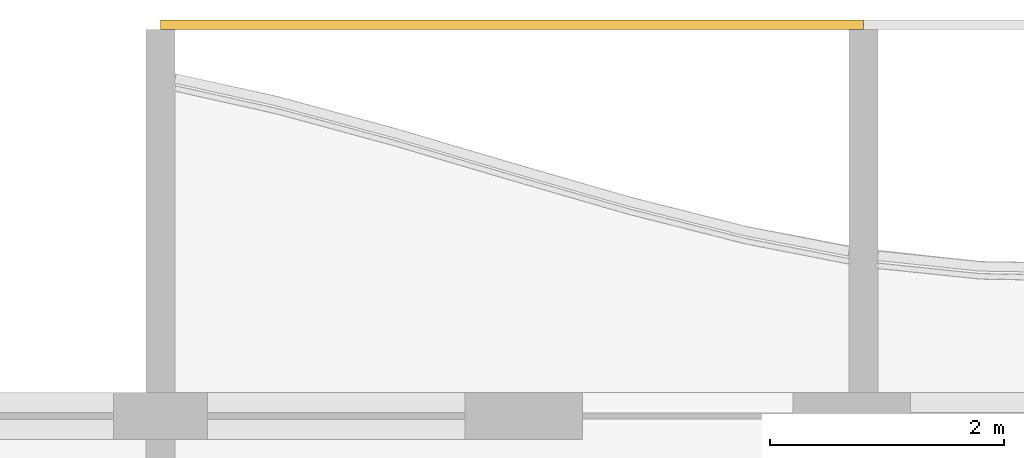
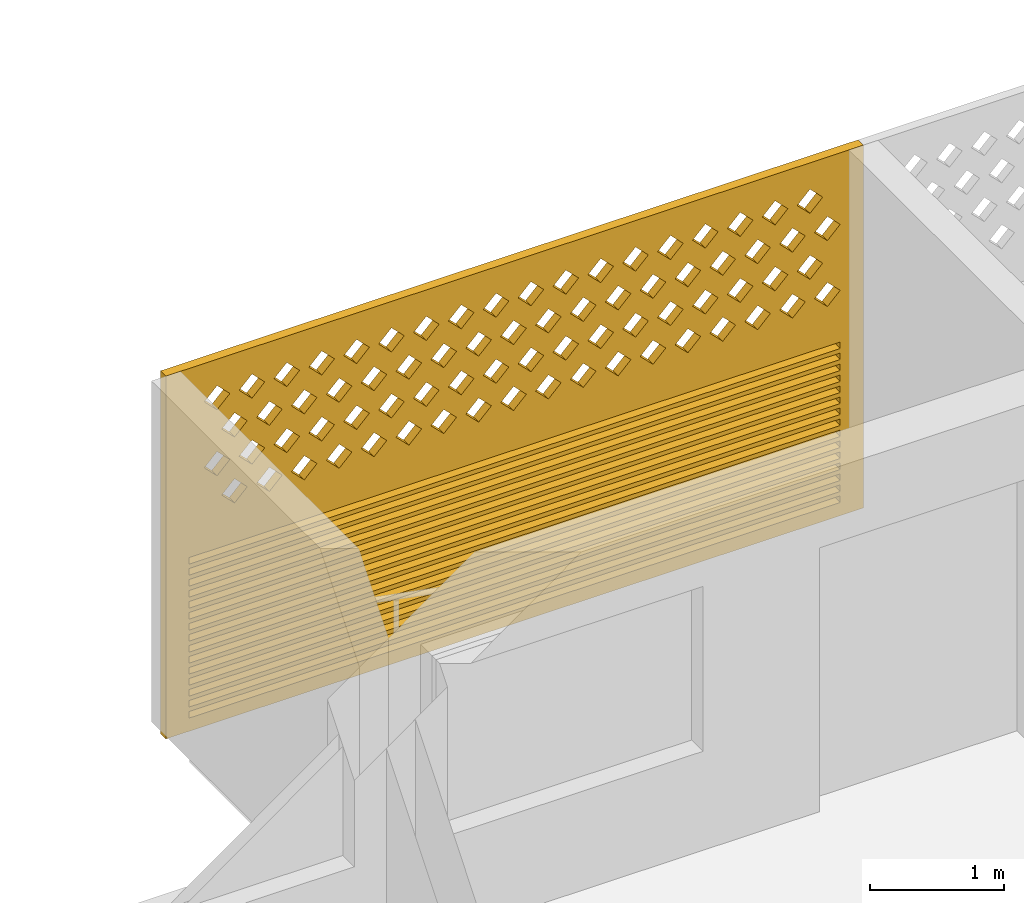
# One storey, part 25 of 27: 1 covering.
"""IFC4 building model written with IfcOpenShell, lengths in metres."""

import ifcopenshell
import ifcopenshell.guid

model = None  # the IFC model being written
_history = None  # IfcOwnerHistory: only IFC2X3 demands one
_inside = {}  # id of a spatial element -> (the spatial element, [elements in it])
_under = {}  # id of a project, library or spatial element -> (it, [spatial elements below it])
_declared = {}  # id of a project -> (the project, [libraries it declares])
_typed = {}  # id of a type object -> (the type object, [elements of that type])
_made_of = {}  # id of a material, layer set ... -> (it, [elements and type objects made of it])


def new_model(schema):
    """Start an empty IFC model of exactly this schema.

    Asked for "IFC4X3", IfcOpenShell would pick the latest addendum, in which some entities
    have other attributes; the version numbers below select the first issue.
    IFC2X3 requires an IfcOwnerHistory on every rooted entity: one is made here for all.
    """
    global model, _history
    if schema == "IFC4X3":
        model = ifcopenshell.file(schema_version=(4, 3, 0, 0))
    else:
        model = ifcopenshell.file(schema=schema)
    _inside.clear()
    _under.clear()
    _declared.clear()
    _typed.clear()
    _made_of.clear()
    _history = None
    if model.schema == "IFC2X3":
        org = make("IfcOrganization", Name="unknown")
        user = make(
            "IfcPersonAndOrganization",
            ThePerson=make("IfcPerson", FamilyName="unknown"),
            TheOrganization=org,
        )
        app = make(
            "IfcApplication",
            ApplicationDeveloper=org,
            Version="unknown",
            ApplicationFullName="unknown",
            ApplicationIdentifier="unknown",
        )
        _history = make(
            "IfcOwnerHistory",
            OwningUser=user,
            OwningApplication=app,
            ChangeAction="ADDED",
            CreationDate=0,
        )
    return model


def make(cls, **values):
    """One entity of the class cls with the attributes given. An attribute that is None is left unset."""
    return model.create_entity(
        cls, **{name: value for name, value in values.items() if value is not None}
    )


def rooted(cls, **values):
    """An entity with a GlobalId (a new one), such as an element, a storey or a relation."""
    return make(cls, GlobalId=ifcopenshell.guid.new(), OwnerHistory=_history, **values)


def si_unit(unit_type, name, prefix=None):
    """IfcSIUnit, for example si_unit("LENGTHUNIT", "METRE", prefix="MILLI")."""
    return make("IfcSIUnit", UnitType=unit_type, Prefix=prefix, Name=name)


def assignment(units):
    """IfcUnitAssignment: the units of a project."""
    return None if units is None else make("IfcUnitAssignment", Units=units)


def point(xyz):
    """IfcCartesianPoint."""
    return None if xyz is None else make("IfcCartesianPoint", Coordinates=xyz)


def direction(xyz):
    """IfcDirection."""
    return None if xyz is None else make("IfcDirection", DirectionRatios=xyz)


def frame(location, z_axis=None, x_axis=None):
    """IfcAxis2Placement3D, a coordinate frame: its origin and axes. An axis left out is left unset."""
    return make(
        "IfcAxis2Placement3D",
        Location=point(location),
        Axis=direction(z_axis),
        RefDirection=direction(x_axis),
    )


def origin():
    """The frame at (0, 0, 0) with its axes left unset."""
    return frame((0.0, 0.0, 0.0))


def place(relative_to, where):
    """IfcLocalPlacement: puts the frame where relative to a parent placement (None: the world)."""
    return make(
        "IfcLocalPlacement", PlacementRelTo=relative_to, RelativePlacement=where
    )


def context(
    kind, dimensions, precision=None, world=None, true_north=None, identifier=None
):
    """IfcGeometricRepresentationContext, for example the 3D "Model" context."""
    return make(
        "IfcGeometricRepresentationContext",
        ContextIdentifier=identifier,
        ContextType=kind,
        CoordinateSpaceDimension=dimensions,
        Precision=precision,
        WorldCoordinateSystem=world,
        TrueNorth=true_north,
    )


def subcontext(parent, identifier, kind, view, scale=None):
    """IfcGeometricRepresentationSubContext, for example "Body" below "Model"."""
    return make(
        "IfcGeometricRepresentationSubContext",
        ContextIdentifier=identifier,
        ContextType=kind,
        ParentContext=parent,
        TargetScale=scale,
        TargetView=view,
    )


def project(units=None, contexts=None):
    """IfcProject with its units and contexts."""
    return rooted(
        "IfcProject",
        Name="project",
        RepresentationContexts=contexts,
        UnitsInContext=assignment(units),
    )


def spatial(cls, under=None, at=None, **own):
    """A site, building, storey or space (cls), placed at a placement, below another one or the project."""
    s = rooted(cls, ObjectPlacement=at, **own)
    if under is not None:
        _under.setdefault(under.id(), (under, []))[1].append(s)
    return s


def polyline(points):
    """IfcPolyline through the points."""
    return make("IfcPolyline", Points=[point(p) for p in points])


def outline(outer, holes=None, kind="AREA"):
    """IfcArbitraryClosedProfileDef: a profile drawn as a closed curve; with holes, ...WithVoids."""
    if holes is None:
        return make("IfcArbitraryClosedProfileDef", ProfileType=kind, OuterCurve=outer)
    return make(
        "IfcArbitraryProfileDefWithVoids",
        ProfileType=kind,
        OuterCurve=outer,
        InnerCurves=holes,
    )


def extrude(swept, where, along, depth):
    """IfcExtrudedAreaSolid: the profile swept, set in the frame where, extruded along a direction by depth."""
    return make(
        "IfcExtrudedAreaSolid",
        SweptArea=swept,
        Position=where,
        ExtrudedDirection=direction(along),
        Depth=depth,
    )


def shape(context_of_items, identifier, shape_type, items):
    """IfcShapeRepresentation: the items that make up one representation, for example the "Body"."""
    return make(
        "IfcShapeRepresentation",
        ContextOfItems=context_of_items,
        RepresentationIdentifier=identifier,
        RepresentationType=shape_type,
        Items=items,
    )


def source(mapping_origin, context_of_items, identifier, shape_type, items):
    """IfcRepresentationMap: a shape defined once, which mapped items show again and again."""
    return make(
        "IfcRepresentationMap",
        MappingOrigin=mapping_origin,
        MappedRepresentation=shape(context_of_items, identifier, shape_type, items),
    )


def transform(
    local_origin,
    x_axis=None,
    y_axis=None,
    z_axis=None,
    scale=None,
    scale2=None,
    scale3=None,
    uniform=True,
):
    """IfcCartesianTransformationOperator3D, or its non-uniform kind. x_axis, y_axis, z_axis: its Axis1, 2, 3."""
    if uniform:
        return make(
            "IfcCartesianTransformationOperator3D",
            Axis1=direction(x_axis),
            Axis2=direction(y_axis),
            LocalOrigin=point(local_origin),
            Scale=scale,
            Axis3=direction(z_axis),
        )
    return make(
        "IfcCartesianTransformationOperator3DnonUniform",
        Axis1=direction(x_axis),
        Axis2=direction(y_axis),
        LocalOrigin=point(local_origin),
        Scale=scale,
        Axis3=direction(z_axis),
        Scale2=scale2,
        Scale3=scale3,
    )


def mapped(mapping_source, mapping_target):
    """IfcMappedItem: shows the shape of a source again, moved by a transform."""
    return make(
        "IfcMappedItem", MappingSource=mapping_source, MappingTarget=mapping_target
    )


def material(Name=None, Category=None):
    """IfcMaterial."""
    return make("IfcMaterial", Name=Name, Category=Category)


def material_profile(
    of_material, cross_section, Name=None, Category=None, Priority=None
):
    """IfcMaterialProfile: a cross section and its material."""
    return make(
        "IfcMaterialProfile",
        Name=Name,
        Material=of_material,
        Profile=cross_section,
        Priority=Priority,
        Category=Category,
    )


def profile_set(profiles, Name=None, composite=None):
    """IfcMaterialProfileSet."""
    return make(
        "IfcMaterialProfileSet",
        Name=Name,
        MaterialProfiles=profiles,
        CompositeProfile=composite,
    )


def made_of(thing, what):
    """Note that an element or type object is made of a material, layer set ...; save() writes the relation."""
    if what is not None:
        _made_of.setdefault(what.id(), (what, []))[1].append(thing)
    return thing


def type_object(cls, material=None, **own):
    """A type object (cls), such as IfcWallType, which elements share."""
    return made_of(rooted(cls, **own), material)


def element(
    cls,
    number,
    at=None,
    inside=None,
    cuts=None,
    type_object=None,
    material=None,
    context=None,
    identifier="Body",
    shape_type=None,
    held_by="IfcProductDefinitionShape",
    body=None,
    shapes=None,
    **own,
):
    """One element of the class cls, such as IfcWall. Its Tag is "e" and its number.

    at: its placement. inside: the storey or other place that contains it. cuts: it is an
    opening in that element (IfcRelVoidsElement). A single representation is given by context,
    identifier, shape_type and body (its items); several are given by shapes. held_by: the class
    of the entity that holds the representations. save() writes the other relations.
    """
    e = rooted(cls, Tag="e%d" % number, ObjectPlacement=at, **own)
    if body is not None:
        shapes = [shape(context, identifier, shape_type, body)]
    if shapes is not None:
        e.Representation = make(held_by, Representations=shapes)
    if inside is not None:
        _inside.setdefault(inside.id(), (inside, []))[1].append(e)
    if cuts is not None:
        rooted(
            "IfcRelVoidsElement", RelatingBuildingElement=cuts, RelatedOpeningElement=e
        )
    if type_object is not None:
        _typed.setdefault(type_object.id(), (type_object, []))[1].append(e)
    return made_of(e, material)


def aggregate(whole, parts):
    """IfcRelAggregates: a whole, such as a stair, and the parts it consists of."""
    return rooted("IfcRelAggregates", RelatingObject=whole, RelatedObjects=parts)


def save(model, path):
    """Write the relations noted so far, then the file.

    IfcRelAggregates (storeys below a building ...), IfcRelContainedInSpatialStructure (elements
    in a storey), IfcRelDefinesByType, IfcRelAssociatesMaterial and IfcRelDeclares: one each for
    every whole, place, type object, material and project.
    """
    for whole, parts in _under.values():
        aggregate(whole, parts)
    for where, things in _inside.values():
        rooted(
            "IfcRelContainedInSpatialStructure",
            RelatedElements=things,
            RelatingStructure=where,
        )
    for kind, things in _typed.values():
        rooted("IfcRelDefinesByType", RelatedObjects=things, RelatingType=kind)
    for what, things in _made_of.values():
        rooted("IfcRelAssociatesMaterial", RelatedObjects=things, RelatingMaterial=what)
    for by, libraries in _declared.values():
        rooted("IfcRelDeclares", RelatingContext=by, RelatedDefinitions=libraries)
    model.write(path)


model = new_model("IFC4")

# Units and contexts
model_context = context("Model", 3, precision=1e-05, world=origin(), true_north=direction((0.0, 1.0)))
body_context = subcontext(model_context, "Body", "Model", "MODEL_VIEW")
ifc_project = project(units=[si_unit("LENGTHUNIT", "METRE"), si_unit("AREAUNIT", "SQUARE_METRE"), si_unit("VOLUMEUNIT", "CUBIC_METRE"), si_unit("PLANEANGLEUNIT", "RADIAN"), si_unit("MASSUNIT", "GRAM", prefix="KILO")], contexts=[model_context])

# Site, building, storey
site_placement = place(None, origin())
site = spatial("IfcSite", under=ifc_project, at=site_placement, CompositionType="ELEMENT")
building_placement = place(site_placement, origin())
building = spatial("IfcBuilding", under=site, at=building_placement, Name="Poui Terraces", CompositionType="ELEMENT")
storey_placement = place(building_placement, frame((0.0, 0.0, 195.0)))
storey = spatial("IfcBuildingStorey", under=building, at=storey_placement, Name="L54", CompositionType="ELEMENT", Elevation=195.0)

# Covering
ifc_material = material(Name="Terracotta screen", Category="masonry")
ifc_material_profile = material_profile(ifc_material, outline(polyline([(-3.0, -1.64990234375), (3.0, -1.64990234375), (3.0, 1.64990234375), (-3.0, 1.64990234375), (-3.0, -1.64990234375)]), holes=[polyline([(-2.800048828125, 0.39990234375), (-2.68994140625, 0.2900390625), (-2.580078125, 0.39990234375), (-2.68994140625, 0.510009765625), (-2.800048828125, 0.39990234375)]), polyline([(-2.5, 0.39990234375), (-2.389892578125, 0.2900390625), (-2.280029296875, 0.39990234375), (-2.389892578125, 0.510009765625), (-2.5, 0.39990234375)]), polyline([(-2.199951171875, 0.39990234375), (-2.090087890625, 0.2900390625), (-1.97998046875, 0.39990234375), (-2.090087890625, 0.510009765625), (-2.199951171875, 0.39990234375)]), polyline([(-1.89990234375, 0.39990234375), (-1.7900390625, 0.2900390625), (-1.679931640625, 0.39990234375), (-1.7900390625, 0.510009765625), (-1.89990234375, 0.39990234375)]), polyline([(-1.60009765625, 0.39990234375), (-1.489990234375, 0.2900390625), (-1.3798828125, 0.39990234375), (-1.489990234375, 0.510009765625), (-1.60009765625, 0.39990234375)]), polyline([(-1.300048828125, 0.39990234375), (-1.18994140625, 0.2900390625), (-1.080078125, 0.39990234375), (-1.18994140625, 0.510009765625), (-1.300048828125, 0.39990234375)]), polyline([(-1.0, 0.39990234375), (-0.889892578125, 0.2900390625), (-0.780029296875, 0.39990234375), (-0.889892578125, 0.510009765625), (-1.0, 0.39990234375)]), polyline([(-0.699951171875, 0.39990234375), (-0.590087890625, 0.2900390625), (-0.47998046875, 0.39990234375), (-0.590087890625, 0.510009765625), (-0.699951171875, 0.39990234375)]), polyline([(-0.39990234375, 0.39990234375), (-0.2900390625, 0.2900390625), (-0.179931640625, 0.39990234375), (-0.2900390625, 0.510009765625), (-0.39990234375, 0.39990234375)]), polyline([(-0.10009765625, 0.39990234375), (0.010009765625, 0.2900390625), (0.1201171875, 0.39990234375), (0.010009765625, 0.510009765625), (-0.10009765625, 0.39990234375)]), polyline([(0.199951171875, 0.39990234375), (0.31005859375, 0.2900390625), (0.419921875, 0.39990234375), (0.31005859375, 0.510009765625), (0.199951171875, 0.39990234375)]), polyline([(0.5, 0.39990234375), (0.610107421875, 0.2900390625), (0.719970703125, 0.39990234375), (0.610107421875, 0.510009765625), (0.5, 0.39990234375)]), polyline([(0.800048828125, 0.39990234375), (0.909912109375, 0.2900390625), (1.02001953125, 0.39990234375), (0.909912109375, 0.510009765625), (0.800048828125, 0.39990234375)]), polyline([(1.10009765625, 0.39990234375), (1.2099609375, 0.2900390625), (1.320068359375, 0.39990234375), (1.2099609375, 0.510009765625), (1.10009765625, 0.39990234375)]), polyline([(1.39990234375, 0.39990234375), (1.510009765625, 0.2900390625), (1.6201171875, 0.39990234375), (1.510009765625, 0.510009765625), (1.39990234375, 0.39990234375)]), polyline([(1.699951171875, 0.39990234375), (1.81005859375, 0.2900390625), (1.919921875, 0.39990234375), (1.81005859375, 0.510009765625), (1.699951171875, 0.39990234375)]), polyline([(2.0, 0.39990234375), (2.110107421875, 0.2900390625), (2.219970703125, 0.39990234375), (2.110107421875, 0.510009765625), (2.0, 0.39990234375)]), polyline([(2.300048828125, 0.39990234375), (2.409912109375, 0.2900390625), (2.52001953125, 0.39990234375), (2.409912109375, 0.510009765625), (2.300048828125, 0.39990234375)]), polyline([(-2.64990234375, 0.699951171875), (-2.5400390625, 0.590087890625), (-2.429931640625, 0.699951171875), (-2.5400390625, 0.81005859375), (-2.64990234375, 0.699951171875)]), polyline([(-2.35009765625, 0.699951171875), (-2.239990234375, 0.590087890625), (-2.1298828125, 0.699951171875), (-2.239990234375, 0.81005859375), (-2.35009765625, 0.699951171875)]), polyline([(-2.050048828125, 0.699951171875), (-1.93994140625, 0.590087890625), (-1.830078125, 0.699951171875), (-1.93994140625, 0.81005859375), (-2.050048828125, 0.699951171875)]), polyline([(-1.75, 0.699951171875), (-1.639892578125, 0.590087890625), (-1.530029296875, 0.699951171875), (-1.639892578125, 0.81005859375), (-1.75, 0.699951171875)]), polyline([(-1.449951171875, 0.699951171875), (-1.340087890625, 0.590087890625), (-1.22998046875, 0.699951171875), (-1.340087890625, 0.81005859375), (-1.449951171875, 0.699951171875)]), polyline([(-1.14990234375, 0.699951171875), (-1.0400390625, 0.590087890625), (-0.929931640625, 0.699951171875), (-1.0400390625, 0.81005859375), (-1.14990234375, 0.699951171875)]), polyline([(-0.85009765625, 0.699951171875), (-0.739990234375, 0.590087890625), (-0.6298828125, 0.699951171875), (-0.739990234375, 0.81005859375), (-0.85009765625, 0.699951171875)]), polyline([(-0.550048828125, 0.699951171875), (-0.43994140625, 0.590087890625), (-0.330078125, 0.699951171875), (-0.43994140625, 0.81005859375), (-0.550048828125, 0.699951171875)]), polyline([(-0.25, 0.699951171875), (-0.139892578125, 0.590087890625), (-0.030029296875, 0.699951171875), (-0.139892578125, 0.81005859375), (-0.25, 0.699951171875)]), polyline([(0.050048828125, 0.699951171875), (0.159912109375, 0.590087890625), (0.27001953125, 0.699951171875), (0.159912109375, 0.81005859375), (0.050048828125, 0.699951171875)]), polyline([(0.35009765625, 0.699951171875), (0.4599609375, 0.590087890625), (0.570068359375, 0.699951171875), (0.4599609375, 0.81005859375), (0.35009765625, 0.699951171875)]), polyline([(0.64990234375, 0.699951171875), (0.760009765625, 0.590087890625), (0.8701171875, 0.699951171875), (0.760009765625, 0.81005859375), (0.64990234375, 0.699951171875)]), polyline([(0.949951171875, 0.699951171875), (1.06005859375, 0.590087890625), (1.169921875, 0.699951171875), (1.06005859375, 0.81005859375), (0.949951171875, 0.699951171875)]), polyline([(1.25, 0.699951171875), (1.360107421875, 0.590087890625), (1.469970703125, 0.699951171875), (1.360107421875, 0.81005859375), (1.25, 0.699951171875)]), polyline([(1.550048828125, 0.699951171875), (1.659912109375, 0.590087890625), (1.77001953125, 0.699951171875), (1.659912109375, 0.81005859375), (1.550048828125, 0.699951171875)]), polyline([(1.85009765625, 0.699951171875), (1.9599609375, 0.590087890625), (2.070068359375, 0.699951171875), (1.9599609375, 0.81005859375), (1.85009765625, 0.699951171875)]), polyline([(2.14990234375, 0.699951171875), (2.260009765625, 0.590087890625), (2.3701171875, 0.699951171875), (2.260009765625, 0.81005859375), (2.14990234375, 0.699951171875)]), polyline([(2.449951171875, 0.699951171875), (2.56005859375, 0.590087890625), (2.669921875, 0.699951171875), (2.56005859375, 0.81005859375), (2.449951171875, 0.699951171875)]), polyline([(-2.800048828125, 1.0), (-2.68994140625, 0.889892578125), (-2.580078125, 1.0), (-2.68994140625, 1.110107421875), (-2.800048828125, 1.0)]), polyline([(-2.5, 1.0), (-2.389892578125, 0.889892578125), (-2.280029296875, 1.0), (-2.389892578125, 1.110107421875), (-2.5, 1.0)]), polyline([(-2.199951171875, 1.0), (-2.090087890625, 0.889892578125), (-1.97998046875, 1.0), (-2.090087890625, 1.110107421875), (-2.199951171875, 1.0)]), polyline([(-1.89990234375, 1.0), (-1.7900390625, 0.889892578125), (-1.679931640625, 1.0), (-1.7900390625, 1.110107421875), (-1.89990234375, 1.0)]), polyline([(-1.60009765625, 1.0), (-1.489990234375, 0.889892578125), (-1.3798828125, 1.0), (-1.489990234375, 1.110107421875), (-1.60009765625, 1.0)]), polyline([(-1.300048828125, 1.0), (-1.18994140625, 0.889892578125), (-1.080078125, 1.0), (-1.18994140625, 1.110107421875), (-1.300048828125, 1.0)]), polyline([(-1.0, 1.0), (-0.889892578125, 0.889892578125), (-0.780029296875, 1.0), (-0.889892578125, 1.110107421875), (-1.0, 1.0)]), polyline([(-0.699951171875, 1.0), (-0.590087890625, 0.889892578125), (-0.47998046875, 1.0), (-0.590087890625, 1.110107421875), (-0.699951171875, 1.0)]), polyline([(-0.39990234375, 1.0), (-0.2900390625, 0.889892578125), (-0.179931640625, 1.0), (-0.2900390625, 1.110107421875), (-0.39990234375, 1.0)]), polyline([(-0.10009765625, 1.0), (0.010009765625, 0.889892578125), (0.1201171875, 1.0), (0.010009765625, 1.110107421875), (-0.10009765625, 1.0)]), polyline([(0.199951171875, 1.0), (0.31005859375, 0.889892578125), (0.419921875, 1.0), (0.31005859375, 1.110107421875), (0.199951171875, 1.0)]), polyline([(0.5, 1.0), (0.610107421875, 0.889892578125), (0.719970703125, 1.0), (0.610107421875, 1.110107421875), (0.5, 1.0)]), polyline([(0.800048828125, 1.0), (0.909912109375, 0.889892578125), (1.02001953125, 1.0), (0.909912109375, 1.110107421875), (0.800048828125, 1.0)]), polyline([(1.10009765625, 1.0), (1.2099609375, 0.889892578125), (1.320068359375, 1.0), (1.2099609375, 1.110107421875), (1.10009765625, 1.0)]), polyline([(1.39990234375, 1.0), (1.510009765625, 0.889892578125), (1.6201171875, 1.0), (1.510009765625, 1.110107421875), (1.39990234375, 1.0)]), polyline([(1.699951171875, 1.0), (1.81005859375, 0.889892578125), (1.919921875, 1.0), (1.81005859375, 1.110107421875), (1.699951171875, 1.0)]), polyline([(2.0, 1.0), (2.110107421875, 0.889892578125), (2.219970703125, 1.0), (2.110107421875, 1.110107421875), (2.0, 1.0)]), polyline([(2.300048828125, 1.0), (2.409912109375, 0.889892578125), (2.52001953125, 1.0), (2.409912109375, 1.110107421875), (2.300048828125, 1.0)]), polyline([(-2.64990234375, 1.300048828125), (-2.5400390625, 1.18994140625), (-2.429931640625, 1.300048828125), (-2.5400390625, 1.409912109375), (-2.64990234375, 1.300048828125)]), polyline([(-2.35009765625, 1.300048828125), (-2.239990234375, 1.18994140625), (-2.1298828125, 1.300048828125), (-2.239990234375, 1.409912109375), (-2.35009765625, 1.300048828125)]), polyline([(-2.050048828125, 1.300048828125), (-1.93994140625, 1.18994140625), (-1.830078125, 1.300048828125), (-1.93994140625, 1.409912109375), (-2.050048828125, 1.300048828125)]), polyline([(-1.75, 1.300048828125), (-1.639892578125, 1.18994140625), (-1.530029296875, 1.300048828125), (-1.639892578125, 1.409912109375), (-1.75, 1.300048828125)]), polyline([(-1.449951171875, 1.300048828125), (-1.340087890625, 1.18994140625), (-1.22998046875, 1.300048828125), (-1.340087890625, 1.409912109375), (-1.449951171875, 1.300048828125)]), polyline([(-1.14990234375, 1.300048828125), (-1.0400390625, 1.18994140625), (-0.929931640625, 1.300048828125), (-1.0400390625, 1.409912109375), (-1.14990234375, 1.300048828125)]), polyline([(-0.85009765625, 1.300048828125), (-0.739990234375, 1.18994140625), (-0.6298828125, 1.300048828125), (-0.739990234375, 1.409912109375), (-0.85009765625, 1.300048828125)]), polyline([(-0.550048828125, 1.300048828125), (-0.43994140625, 1.18994140625), (-0.330078125, 1.300048828125), (-0.43994140625, 1.409912109375), (-0.550048828125, 1.300048828125)]), polyline([(-0.25, 1.300048828125), (-0.139892578125, 1.18994140625), (-0.030029296875, 1.300048828125), (-0.139892578125, 1.409912109375), (-0.25, 1.300048828125)]), polyline([(0.050048828125, 1.300048828125), (0.159912109375, 1.18994140625), (0.27001953125, 1.300048828125), (0.159912109375, 1.409912109375), (0.050048828125, 1.300048828125)]), polyline([(0.35009765625, 1.300048828125), (0.4599609375, 1.18994140625), (0.570068359375, 1.300048828125), (0.4599609375, 1.409912109375), (0.35009765625, 1.300048828125)]), polyline([(0.64990234375, 1.300048828125), (0.760009765625, 1.18994140625), (0.8701171875, 1.300048828125), (0.760009765625, 1.409912109375), (0.64990234375, 1.300048828125)]), polyline([(0.949951171875, 1.300048828125), (1.06005859375, 1.18994140625), (1.169921875, 1.300048828125), (1.06005859375, 1.409912109375), (0.949951171875, 1.300048828125)]), polyline([(1.25, 1.300048828125), (1.360107421875, 1.18994140625), (1.469970703125, 1.300048828125), (1.360107421875, 1.409912109375), (1.25, 1.300048828125)]), polyline([(1.550048828125, 1.300048828125), (1.659912109375, 1.18994140625), (1.77001953125, 1.300048828125), (1.659912109375, 1.409912109375), (1.550048828125, 1.300048828125)]), polyline([(1.85009765625, 1.300048828125), (1.9599609375, 1.18994140625), (2.070068359375, 1.300048828125), (1.9599609375, 1.409912109375), (1.85009765625, 1.300048828125)]), polyline([(2.14990234375, 1.300048828125), (2.260009765625, 1.18994140625), (2.3701171875, 1.300048828125), (2.260009765625, 1.409912109375), (2.14990234375, 1.300048828125)]), polyline([(2.449951171875, 1.300048828125), (2.56005859375, 1.18994140625), (2.669921875, 1.300048828125), (2.56005859375, 1.409912109375), (2.449951171875, 1.300048828125)]), polyline([(-2.800048828125, -1.530029296875), (2.800048828125, -1.530029296875), (2.800048828125, -1.469970703125), (-2.800048828125, -1.469970703125), (-2.800048828125, -1.530029296875)]), polyline([(-2.800048828125, -1.429931640625), (2.800048828125, -1.429931640625), (2.800048828125, -1.3701171875), (-2.800048828125, -1.3701171875), (-2.800048828125, -1.429931640625)]), polyline([(-2.800048828125, -1.330078125), (2.800048828125, -1.330078125), (2.800048828125, -1.27001953125), (-2.800048828125, -1.27001953125), (-2.800048828125, -1.330078125)]), polyline([(-2.800048828125, -1.22998046875), (2.800048828125, -1.22998046875), (2.800048828125, -1.169921875), (-2.800048828125, -1.169921875), (-2.800048828125, -1.22998046875)]), polyline([(-2.800048828125, -1.1298828125), (2.800048828125, -1.1298828125), (2.800048828125, -1.070068359375), (-2.800048828125, -1.070068359375), (-2.800048828125, -1.1298828125)]), polyline([(-2.800048828125, -1.030029296875), (2.800048828125, -1.030029296875), (2.800048828125, -0.969970703125), (-2.800048828125, -0.969970703125), (-2.800048828125, -1.030029296875)]), polyline([(-2.800048828125, -0.929931640625), (2.800048828125, -0.929931640625), (2.800048828125, -0.8701171875), (-2.800048828125, -0.8701171875), (-2.800048828125, -0.929931640625)]), polyline([(-2.800048828125, -0.830078125), (2.800048828125, -0.830078125), (2.800048828125, -0.77001953125), (-2.800048828125, -0.77001953125), (-2.800048828125, -0.830078125)]), polyline([(-2.800048828125, -0.72998046875), (2.800048828125, -0.72998046875), (2.800048828125, -0.669921875), (-2.800048828125, -0.669921875), (-2.800048828125, -0.72998046875)]), polyline([(-2.800048828125, -0.6298828125), (2.800048828125, -0.6298828125), (2.800048828125, -0.570068359375), (-2.800048828125, -0.570068359375), (-2.800048828125, -0.6298828125)]), polyline([(-2.800048828125, -0.530029296875), (2.800048828125, -0.530029296875), (2.800048828125, -0.469970703125), (-2.800048828125, -0.469970703125), (-2.800048828125, -0.530029296875)]), polyline([(-2.800048828125, -0.429931640625), (2.800048828125, -0.429931640625), (2.800048828125, -0.3701171875), (-2.800048828125, -0.3701171875), (-2.800048828125, -0.429931640625)]), polyline([(-2.800048828125, -0.330078125), (2.800048828125, -0.330078125), (2.800048828125, -0.27001953125), (-2.800048828125, -0.27001953125), (-2.800048828125, -0.330078125)]), polyline([(-2.800048828125, -0.22998046875), (2.800048828125, -0.22998046875), (2.800048828125, -0.169921875), (-2.800048828125, -0.169921875), (-2.800048828125, -0.22998046875)]), polyline([(-2.800048828125, -0.1298828125), (2.800048828125, -0.1298828125), (2.800048828125, -0.070068359375), (-2.800048828125, -0.070068359375), (-2.800048828125, -0.1298828125)])]), Name="TERRACOTTA SCREEN AND JALOUSIE LOUVRE 6000X3300")
ifc_profile_set = profile_set([ifc_material_profile], Name="Terracotta screen")
covering_type = type_object("IfcCoveringType", Name="TERRACOTTA SCREEN AND JALOUSIE LOUVRE 6000X3300", PredefinedType="CLADDING", material=ifc_profile_set)
shared_shape = source(origin(), body_context, "Body", "SweptSolid", [
    extrude(outline(polyline([(-3.0, -1.64990234375), (3.0, -1.64990234375), (3.0, 1.64990234375), (-3.0, 1.64990234375), (-3.0, -1.64990234375)]), holes=[polyline([(-2.800048828125, 0.39990234375), (-2.68994140625, 0.2900390625), (-2.580078125, 0.39990234375), (-2.68994140625, 0.510009765625), (-2.800048828125, 0.39990234375)]), polyline([(-2.5, 0.39990234375), (-2.389892578125, 0.2900390625), (-2.280029296875, 0.39990234375), (-2.389892578125, 0.510009765625), (-2.5, 0.39990234375)]), polyline([(-2.199951171875, 0.39990234375), (-2.090087890625, 0.2900390625), (-1.97998046875, 0.39990234375), (-2.090087890625, 0.510009765625), (-2.199951171875, 0.39990234375)]), polyline([(-1.89990234375, 0.39990234375), (-1.7900390625, 0.2900390625), (-1.679931640625, 0.39990234375), (-1.7900390625, 0.510009765625), (-1.89990234375, 0.39990234375)]), polyline([(-1.60009765625, 0.39990234375), (-1.489990234375, 0.2900390625), (-1.3798828125, 0.39990234375), (-1.489990234375, 0.510009765625), (-1.60009765625, 0.39990234375)]), polyline([(-1.300048828125, 0.39990234375), (-1.18994140625, 0.2900390625), (-1.080078125, 0.39990234375), (-1.18994140625, 0.510009765625), (-1.300048828125, 0.39990234375)]), polyline([(-1.0, 0.39990234375), (-0.889892578125, 0.2900390625), (-0.780029296875, 0.39990234375), (-0.889892578125, 0.510009765625), (-1.0, 0.39990234375)]), polyline([(-0.699951171875, 0.39990234375), (-0.590087890625, 0.2900390625), (-0.47998046875, 0.39990234375), (-0.590087890625, 0.510009765625), (-0.699951171875, 0.39990234375)]), polyline([(-0.39990234375, 0.39990234375), (-0.2900390625, 0.2900390625), (-0.179931640625, 0.39990234375), (-0.2900390625, 0.510009765625), (-0.39990234375, 0.39990234375)]), polyline([(-0.10009765625, 0.39990234375), (0.010009765625, 0.2900390625), (0.1201171875, 0.39990234375), (0.010009765625, 0.510009765625), (-0.10009765625, 0.39990234375)]), polyline([(0.199951171875, 0.39990234375), (0.31005859375, 0.2900390625), (0.419921875, 0.39990234375), (0.31005859375, 0.510009765625), (0.199951171875, 0.39990234375)]), polyline([(0.5, 0.39990234375), (0.610107421875, 0.2900390625), (0.719970703125, 0.39990234375), (0.610107421875, 0.510009765625), (0.5, 0.39990234375)]), polyline([(0.800048828125, 0.39990234375), (0.909912109375, 0.2900390625), (1.02001953125, 0.39990234375), (0.909912109375, 0.510009765625), (0.800048828125, 0.39990234375)]), polyline([(1.10009765625, 0.39990234375), (1.2099609375, 0.2900390625), (1.320068359375, 0.39990234375), (1.2099609375, 0.510009765625), (1.10009765625, 0.39990234375)]), polyline([(1.39990234375, 0.39990234375), (1.510009765625, 0.2900390625), (1.6201171875, 0.39990234375), (1.510009765625, 0.510009765625), (1.39990234375, 0.39990234375)]), polyline([(1.699951171875, 0.39990234375), (1.81005859375, 0.2900390625), (1.919921875, 0.39990234375), (1.81005859375, 0.510009765625), (1.699951171875, 0.39990234375)]), polyline([(2.0, 0.39990234375), (2.110107421875, 0.2900390625), (2.219970703125, 0.39990234375), (2.110107421875, 0.510009765625), (2.0, 0.39990234375)]), polyline([(2.300048828125, 0.39990234375), (2.409912109375, 0.2900390625), (2.52001953125, 0.39990234375), (2.409912109375, 0.510009765625), (2.300048828125, 0.39990234375)]), polyline([(-2.64990234375, 0.699951171875), (-2.5400390625, 0.590087890625), (-2.429931640625, 0.699951171875), (-2.5400390625, 0.81005859375), (-2.64990234375, 0.699951171875)]), polyline([(-2.35009765625, 0.699951171875), (-2.239990234375, 0.590087890625), (-2.1298828125, 0.699951171875), (-2.239990234375, 0.81005859375), (-2.35009765625, 0.699951171875)]), polyline([(-2.050048828125, 0.699951171875), (-1.93994140625, 0.590087890625), (-1.830078125, 0.699951171875), (-1.93994140625, 0.81005859375), (-2.050048828125, 0.699951171875)]), polyline([(-1.75, 0.699951171875), (-1.639892578125, 0.590087890625), (-1.530029296875, 0.699951171875), (-1.639892578125, 0.81005859375), (-1.75, 0.699951171875)]), polyline([(-1.449951171875, 0.699951171875), (-1.340087890625, 0.590087890625), (-1.22998046875, 0.699951171875), (-1.340087890625, 0.81005859375), (-1.449951171875, 0.699951171875)]), polyline([(-1.14990234375, 0.699951171875), (-1.0400390625, 0.590087890625), (-0.929931640625, 0.699951171875), (-1.0400390625, 0.81005859375), (-1.14990234375, 0.699951171875)]), polyline([(-0.85009765625, 0.699951171875), (-0.739990234375, 0.590087890625), (-0.6298828125, 0.699951171875), (-0.739990234375, 0.81005859375), (-0.85009765625, 0.699951171875)]), polyline([(-0.550048828125, 0.699951171875), (-0.43994140625, 0.590087890625), (-0.330078125, 0.699951171875), (-0.43994140625, 0.81005859375), (-0.550048828125, 0.699951171875)]), polyline([(-0.25, 0.699951171875), (-0.139892578125, 0.590087890625), (-0.030029296875, 0.699951171875), (-0.139892578125, 0.81005859375), (-0.25, 0.699951171875)]), polyline([(0.050048828125, 0.699951171875), (0.159912109375, 0.590087890625), (0.27001953125, 0.699951171875), (0.159912109375, 0.81005859375), (0.050048828125, 0.699951171875)]), polyline([(0.35009765625, 0.699951171875), (0.4599609375, 0.590087890625), (0.570068359375, 0.699951171875), (0.4599609375, 0.81005859375), (0.35009765625, 0.699951171875)]), polyline([(0.64990234375, 0.699951171875), (0.760009765625, 0.590087890625), (0.8701171875, 0.699951171875), (0.760009765625, 0.81005859375), (0.64990234375, 0.699951171875)]), polyline([(0.949951171875, 0.699951171875), (1.06005859375, 0.590087890625), (1.169921875, 0.699951171875), (1.06005859375, 0.81005859375), (0.949951171875, 0.699951171875)]), polyline([(1.25, 0.699951171875), (1.360107421875, 0.590087890625), (1.469970703125, 0.699951171875), (1.360107421875, 0.81005859375), (1.25, 0.699951171875)]), polyline([(1.550048828125, 0.699951171875), (1.659912109375, 0.590087890625), (1.77001953125, 0.699951171875), (1.659912109375, 0.81005859375), (1.550048828125, 0.699951171875)]), polyline([(1.85009765625, 0.699951171875), (1.9599609375, 0.590087890625), (2.070068359375, 0.699951171875), (1.9599609375, 0.81005859375), (1.85009765625, 0.699951171875)]), polyline([(2.14990234375, 0.699951171875), (2.260009765625, 0.590087890625), (2.3701171875, 0.699951171875), (2.260009765625, 0.81005859375), (2.14990234375, 0.699951171875)]), polyline([(2.449951171875, 0.699951171875), (2.56005859375, 0.590087890625), (2.669921875, 0.699951171875), (2.56005859375, 0.81005859375), (2.449951171875, 0.699951171875)]), polyline([(-2.800048828125, 1.0), (-2.68994140625, 0.889892578125), (-2.580078125, 1.0), (-2.68994140625, 1.110107421875), (-2.800048828125, 1.0)]), polyline([(-2.5, 1.0), (-2.389892578125, 0.889892578125), (-2.280029296875, 1.0), (-2.389892578125, 1.110107421875), (-2.5, 1.0)]), polyline([(-2.199951171875, 1.0), (-2.090087890625, 0.889892578125), (-1.97998046875, 1.0), (-2.090087890625, 1.110107421875), (-2.199951171875, 1.0)]), polyline([(-1.89990234375, 1.0), (-1.7900390625, 0.889892578125), (-1.679931640625, 1.0), (-1.7900390625, 1.110107421875), (-1.89990234375, 1.0)]), polyline([(-1.60009765625, 1.0), (-1.489990234375, 0.889892578125), (-1.3798828125, 1.0), (-1.489990234375, 1.110107421875), (-1.60009765625, 1.0)]), polyline([(-1.300048828125, 1.0), (-1.18994140625, 0.889892578125), (-1.080078125, 1.0), (-1.18994140625, 1.110107421875), (-1.300048828125, 1.0)]), polyline([(-1.0, 1.0), (-0.889892578125, 0.889892578125), (-0.780029296875, 1.0), (-0.889892578125, 1.110107421875), (-1.0, 1.0)]), polyline([(-0.699951171875, 1.0), (-0.590087890625, 0.889892578125), (-0.47998046875, 1.0), (-0.590087890625, 1.110107421875), (-0.699951171875, 1.0)]), polyline([(-0.39990234375, 1.0), (-0.2900390625, 0.889892578125), (-0.179931640625, 1.0), (-0.2900390625, 1.110107421875), (-0.39990234375, 1.0)]), polyline([(-0.10009765625, 1.0), (0.010009765625, 0.889892578125), (0.1201171875, 1.0), (0.010009765625, 1.110107421875), (-0.10009765625, 1.0)]), polyline([(0.199951171875, 1.0), (0.31005859375, 0.889892578125), (0.419921875, 1.0), (0.31005859375, 1.110107421875), (0.199951171875, 1.0)]), polyline([(0.5, 1.0), (0.610107421875, 0.889892578125), (0.719970703125, 1.0), (0.610107421875, 1.110107421875), (0.5, 1.0)]), polyline([(0.800048828125, 1.0), (0.909912109375, 0.889892578125), (1.02001953125, 1.0), (0.909912109375, 1.110107421875), (0.800048828125, 1.0)]), polyline([(1.10009765625, 1.0), (1.2099609375, 0.889892578125), (1.320068359375, 1.0), (1.2099609375, 1.110107421875), (1.10009765625, 1.0)]), polyline([(1.39990234375, 1.0), (1.510009765625, 0.889892578125), (1.6201171875, 1.0), (1.510009765625, 1.110107421875), (1.39990234375, 1.0)]), polyline([(1.699951171875, 1.0), (1.81005859375, 0.889892578125), (1.919921875, 1.0), (1.81005859375, 1.110107421875), (1.699951171875, 1.0)]), polyline([(2.0, 1.0), (2.110107421875, 0.889892578125), (2.219970703125, 1.0), (2.110107421875, 1.110107421875), (2.0, 1.0)]), polyline([(2.300048828125, 1.0), (2.409912109375, 0.889892578125), (2.52001953125, 1.0), (2.409912109375, 1.110107421875), (2.300048828125, 1.0)]), polyline([(-2.64990234375, 1.300048828125), (-2.5400390625, 1.18994140625), (-2.429931640625, 1.300048828125), (-2.5400390625, 1.409912109375), (-2.64990234375, 1.300048828125)]), polyline([(-2.35009765625, 1.300048828125), (-2.239990234375, 1.18994140625), (-2.1298828125, 1.300048828125), (-2.239990234375, 1.409912109375), (-2.35009765625, 1.300048828125)]), polyline([(-2.050048828125, 1.300048828125), (-1.93994140625, 1.18994140625), (-1.830078125, 1.300048828125), (-1.93994140625, 1.409912109375), (-2.050048828125, 1.300048828125)]), polyline([(-1.75, 1.300048828125), (-1.639892578125, 1.18994140625), (-1.530029296875, 1.300048828125), (-1.639892578125, 1.409912109375), (-1.75, 1.300048828125)]), polyline([(-1.449951171875, 1.300048828125), (-1.340087890625, 1.18994140625), (-1.22998046875, 1.300048828125), (-1.340087890625, 1.409912109375), (-1.449951171875, 1.300048828125)]), polyline([(-1.14990234375, 1.300048828125), (-1.0400390625, 1.18994140625), (-0.929931640625, 1.300048828125), (-1.0400390625, 1.409912109375), (-1.14990234375, 1.300048828125)]), polyline([(-0.85009765625, 1.300048828125), (-0.739990234375, 1.18994140625), (-0.6298828125, 1.300048828125), (-0.739990234375, 1.409912109375), (-0.85009765625, 1.300048828125)]), polyline([(-0.550048828125, 1.300048828125), (-0.43994140625, 1.18994140625), (-0.330078125, 1.300048828125), (-0.43994140625, 1.409912109375), (-0.550048828125, 1.300048828125)]), polyline([(-0.25, 1.300048828125), (-0.139892578125, 1.18994140625), (-0.030029296875, 1.300048828125), (-0.139892578125, 1.409912109375), (-0.25, 1.300048828125)]), polyline([(0.050048828125, 1.300048828125), (0.159912109375, 1.18994140625), (0.27001953125, 1.300048828125), (0.159912109375, 1.409912109375), (0.050048828125, 1.300048828125)]), polyline([(0.35009765625, 1.300048828125), (0.4599609375, 1.18994140625), (0.570068359375, 1.300048828125), (0.4599609375, 1.409912109375), (0.35009765625, 1.300048828125)]), polyline([(0.64990234375, 1.300048828125), (0.760009765625, 1.18994140625), (0.8701171875, 1.300048828125), (0.760009765625, 1.409912109375), (0.64990234375, 1.300048828125)]), polyline([(0.949951171875, 1.300048828125), (1.06005859375, 1.18994140625), (1.169921875, 1.300048828125), (1.06005859375, 1.409912109375), (0.949951171875, 1.300048828125)]), polyline([(1.25, 1.300048828125), (1.360107421875, 1.18994140625), (1.469970703125, 1.300048828125), (1.360107421875, 1.409912109375), (1.25, 1.300048828125)]), polyline([(1.550048828125, 1.300048828125), (1.659912109375, 1.18994140625), (1.77001953125, 1.300048828125), (1.659912109375, 1.409912109375), (1.550048828125, 1.300048828125)]), polyline([(1.85009765625, 1.300048828125), (1.9599609375, 1.18994140625), (2.070068359375, 1.300048828125), (1.9599609375, 1.409912109375), (1.85009765625, 1.300048828125)]), polyline([(2.14990234375, 1.300048828125), (2.260009765625, 1.18994140625), (2.3701171875, 1.300048828125), (2.260009765625, 1.409912109375), (2.14990234375, 1.300048828125)]), polyline([(2.449951171875, 1.300048828125), (2.56005859375, 1.18994140625), (2.669921875, 1.300048828125), (2.56005859375, 1.409912109375), (2.449951171875, 1.300048828125)]), polyline([(-2.800048828125, -1.530029296875), (2.800048828125, -1.530029296875), (2.800048828125, -1.469970703125), (-2.800048828125, -1.469970703125), (-2.800048828125, -1.530029296875)]), polyline([(-2.800048828125, -1.429931640625), (2.800048828125, -1.429931640625), (2.800048828125, -1.3701171875), (-2.800048828125, -1.3701171875), (-2.800048828125, -1.429931640625)]), polyline([(-2.800048828125, -1.330078125), (2.800048828125, -1.330078125), (2.800048828125, -1.27001953125), (-2.800048828125, -1.27001953125), (-2.800048828125, -1.330078125)]), polyline([(-2.800048828125, -1.22998046875), (2.800048828125, -1.22998046875), (2.800048828125, -1.169921875), (-2.800048828125, -1.169921875), (-2.800048828125, -1.22998046875)]), polyline([(-2.800048828125, -1.1298828125), (2.800048828125, -1.1298828125), (2.800048828125, -1.070068359375), (-2.800048828125, -1.070068359375), (-2.800048828125, -1.1298828125)]), polyline([(-2.800048828125, -1.030029296875), (2.800048828125, -1.030029296875), (2.800048828125, -0.969970703125), (-2.800048828125, -0.969970703125), (-2.800048828125, -1.030029296875)]), polyline([(-2.800048828125, -0.929931640625), (2.800048828125, -0.929931640625), (2.800048828125, -0.8701171875), (-2.800048828125, -0.8701171875), (-2.800048828125, -0.929931640625)]), polyline([(-2.800048828125, -0.830078125), (2.800048828125, -0.830078125), (2.800048828125, -0.77001953125), (-2.800048828125, -0.77001953125), (-2.800048828125, -0.830078125)]), polyline([(-2.800048828125, -0.72998046875), (2.800048828125, -0.72998046875), (2.800048828125, -0.669921875), (-2.800048828125, -0.669921875), (-2.800048828125, -0.72998046875)]), polyline([(-2.800048828125, -0.6298828125), (2.800048828125, -0.6298828125), (2.800048828125, -0.570068359375), (-2.800048828125, -0.570068359375), (-2.800048828125, -0.6298828125)]), polyline([(-2.800048828125, -0.530029296875), (2.800048828125, -0.530029296875), (2.800048828125, -0.469970703125), (-2.800048828125, -0.469970703125), (-2.800048828125, -0.530029296875)]), polyline([(-2.800048828125, -0.429931640625), (2.800048828125, -0.429931640625), (2.800048828125, -0.3701171875), (-2.800048828125, -0.3701171875), (-2.800048828125, -0.429931640625)]), polyline([(-2.800048828125, -0.330078125), (2.800048828125, -0.330078125), (2.800048828125, -0.27001953125), (-2.800048828125, -0.27001953125), (-2.800048828125, -0.330078125)]), polyline([(-2.800048828125, -0.22998046875), (2.800048828125, -0.22998046875), (2.800048828125, -0.169921875), (-2.800048828125, -0.169921875), (-2.800048828125, -0.22998046875)]), polyline([(-2.800048828125, -0.1298828125), (2.800048828125, -0.1298828125), (2.800048828125, -0.070068359375), (-2.800048828125, -0.070068359375), (-2.800048828125, -0.1298828125)])]), origin(), (0.0, 0.0, 1.0), 0.080078125),
])
covering_placement = place(storey_placement, frame((69.0, 44.5, 1.449951171875), z_axis=(0.0, 1.0, 0.0), x_axis=(-1.0, 0.0, 0.0)))
element("IfcCovering", 1, at=covering_placement, inside=storey, type_object=covering_type, Name="SOLAR SCREEN AND JALOUSIE LOUVRE", PredefinedType="CLADDING", context=body_context, shape_type="MappedRepresentation", body=[
    mapped(shared_shape, transform((0.0, 0.0, 0.0))),
])

save(model, "model.ifc")
